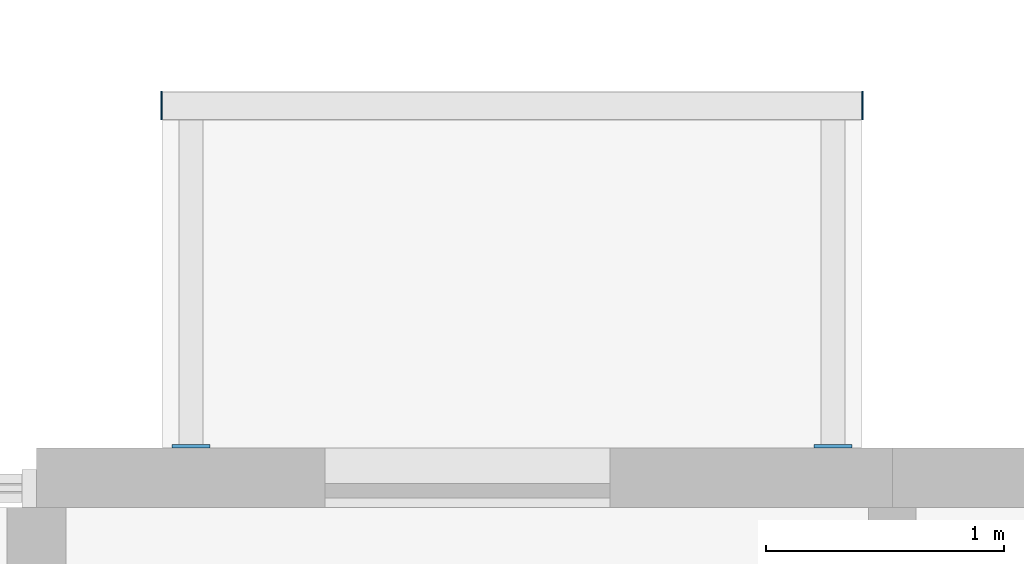
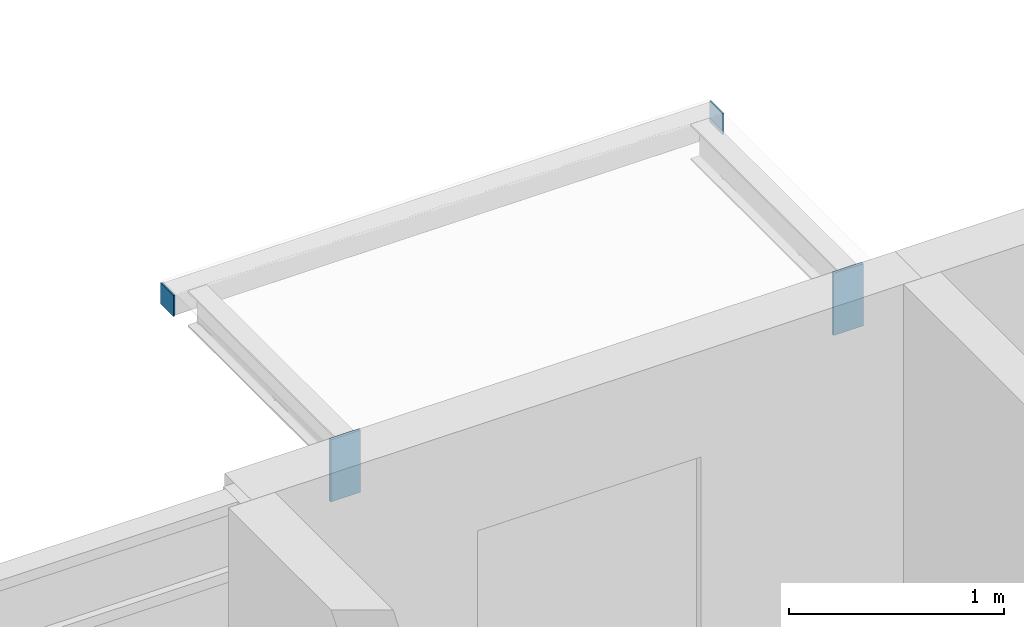
# One storey, part 30 of 41: 4 discrete accessories.
"""IFC4 building model written with IfcOpenShell, lengths in metres."""

from ifc_helpers import new_model, si_unit, direction, frame, origin, origin_2d, place, context, subcontext, project, spatial, rectangle, extrude, material, layer, layer_set, type_object, element, save


model = new_model("IFC4")

# Units and contexts
model_context = context("Model", 3, precision=1e-05, world=origin(), true_north=direction((0.0, 1.0)))
body_context = subcontext(model_context, "Body", "Model", "MODEL_VIEW")
ifc_project = project(units=[si_unit("LENGTHUNIT", "METRE"), si_unit("AREAUNIT", "SQUARE_METRE"), si_unit("VOLUMEUNIT", "CUBIC_METRE"), si_unit("PLANEANGLEUNIT", "RADIAN"), si_unit("MASSUNIT", "GRAM", prefix="KILO")], contexts=[model_context])

# Site, building, storey
site_placement = place(None, origin())
site = spatial("IfcSite", under=ifc_project, at=site_placement, CompositionType="ELEMENT")
building_placement = place(site_placement, origin())
building = spatial("IfcBuilding", under=site, at=building_placement, Name="Ridgestep Commons", CompositionType="ELEMENT")
storey_placement = place(building_placement, frame((0.0, 0.0, 39.0)))
storey = spatial("IfcBuildingStorey", under=building, at=storey_placement, Name="L13", CompositionType="ELEMENT", Elevation=39.0)

# Discrete accessories
ifc_material_1 = material(Name="Weathering steel S355J2W", Category="steel")
ifc_layer_1 = layer(ifc_material_1, 0.014892578125)
ifc_layer_set_1 = layer_set([ifc_layer_1], Name="Tray bracket plate 15")
discrete_accessory_type_1 = type_object("IfcDiscreteAccessoryType", Name="Tray bracket plate 15", PredefinedType="BRACKET", material=ifc_layer_set_1)
for number, where, z_axis, x_axis, name in (
    (1, (52.25, 23.007568359375, 2.63671875), (0.0, 0.0, 1.0), (1.0, 0.0, 0.0), "Tray bracket A3T3-14.1"),
    (2, (54.949951171875, 23.007568359375, 2.63671875), (0.0, 0.0, 1.0), (1.0, 0.0, 0.0), "Tray bracket A3T3-14.2"),
):
    element("IfcDiscreteAccessory", number, at=place(storey_placement, frame(where, z_axis=z_axis, x_axis=x_axis)), inside=storey, type_object=discrete_accessory_type_1, Name=name, PredefinedType="BRACKET", context=body_context, shape_type="SweptSolid", body=[
        extrude(rectangle(XDim=0.159912109375, YDim=0.014892578125, at=origin_2d()), origin(), (0.0, 0.0, 1.0), 0.353271484375),
    ])
ifc_material_2 = material(Name="Weathering steel S355J2W", Category="steel")
ifc_layer_2 = layer(ifc_material_2, 0.008056640625)
ifc_layer_set_2 = layer_set([ifc_layer_2], Name="Tray edge member end plate 120 x 120 x 8")
discrete_accessory_type_2 = type_object("IfcDiscreteAccessoryType", Name="Tray edge member end plate 120 x 120 x 8", PredefinedType="BRACKET", material=ifc_layer_set_2)
for number, where, z_axis, x_axis, name in (
    (3, (52.1259765625, 24.43994140625, 2.869873046875), (0.0, 0.0, 1.0), (1.0, 0.0, 0.0), "Tray edge member end plate A3T3-14 west"),
    (4, (55.073974609375, 24.43994140625, 2.869873046875), (0.0, 0.0, 1.0), (1.0, 0.0, 0.0), "Tray edge member end plate A3T3-14 east"),
):
    element("IfcDiscreteAccessory", number, at=place(storey_placement, frame(where, z_axis=z_axis, x_axis=x_axis)), inside=storey, type_object=discrete_accessory_type_2, Name=name, PredefinedType="BRACKET", context=body_context, shape_type="SweptSolid", body=[
        extrude(rectangle(XDim=0.008056640625, YDim=0.1201171875, at=origin_2d()), origin(), (0.0, 0.0, 1.0), 0.1201171875),
    ])

save(model, "model.ifc")
